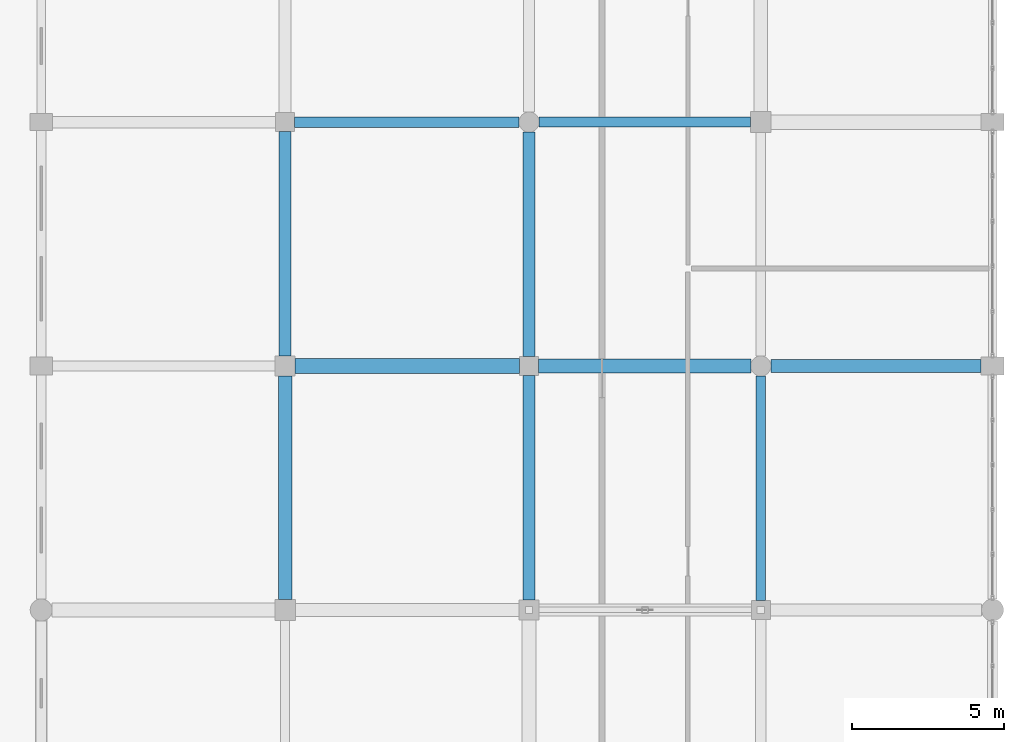
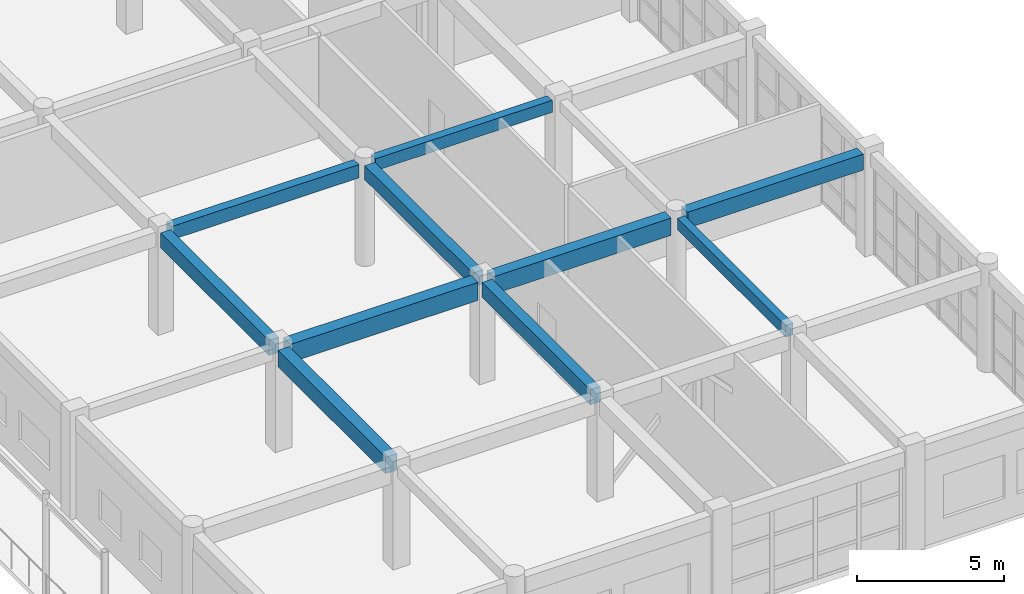
# One storey, part 95 of 160: 10 beams.
"""IFC4 building model written with IfcOpenShell, lengths in metres."""

from ifc_helpers import new_model, si_unit, direction, frame, origin, origin_2d, place, context, subcontext, project, spatial, rectangle, extrude, material, material_profile, profile_set, type_object, element, save


model = new_model("IFC4")

# Units and contexts
model_context = context("Model", 3, precision=1e-05, world=origin(), true_north=direction((0.0, 1.0)))
body_context = subcontext(model_context, "Body", "Model", "MODEL_VIEW")
ifc_project = project(units=[si_unit("LENGTHUNIT", "METRE"), si_unit("AREAUNIT", "SQUARE_METRE"), si_unit("VOLUMEUNIT", "CUBIC_METRE"), si_unit("PLANEANGLEUNIT", "RADIAN"), si_unit("MASSUNIT", "GRAM", prefix="KILO")], contexts=[model_context])

# Site, building, storey
site_placement = place(None, origin())
site = spatial("IfcSite", under=ifc_project, at=site_placement, CompositionType="ELEMENT")
building_placement = place(site_placement, origin())
building = spatial("IfcBuilding", under=site, at=building_placement, Name="Kharva Crest Polytechnic", CompositionType="ELEMENT")
storey_placement = place(building_placement, frame((0.0, 0.0, 4.5)))
storey = spatial("IfcBuildingStorey", under=building, at=storey_placement, Name="L01", CompositionType="ELEMENT", Elevation=4.5)

# Beams
ifc_material = material(Name="Concrete C35/45", Category="concrete")
ifc_material_profile_1 = material_profile(ifc_material, rectangle(XDim=0.300048828125, YDim=0.47998046875, at=origin_2d()), Name="RECT 300 X 480")
ifc_profile_set_1 = profile_set([ifc_material_profile_1], Name="Concrete C35/45")
beam_type_1 = type_object("IfcBeamType", Name="BM-RC-300X480", PredefinedType="BEAM", material=ifc_profile_set_1)
beam_1_placement = place(storey_placement, frame((176.39990234375, 47.110107421875, 3.97998046875), z_axis=(0.0, 1.0, 0.0), x_axis=(-1.0, 0.0, 0.0)))
element("IfcBeam", 1, at=beam_1_placement, inside=storey, type_object=beam_type_1, Name="L01 Girder 23/G-H", PredefinedType="BEAM", context=body_context, shape_type="SweptSolid", body=[
    extrude(rectangle(XDim=0.300048828125, YDim=0.47998046875, at=origin_2d()), origin(), (0.0, 0.0, 1.0), 7.35986328125),
])
ifc_material_profile_2 = material_profile(ifc_material, rectangle(XDim=0.320068359375, YDim=0.5, at=origin_2d()), Name="RECT 320 X 500")
ifc_profile_set_2 = profile_set([ifc_material_profile_2], Name="Concrete C35/45")
beam_type_2 = type_object("IfcBeamType", Name="BM-RC-320X500", PredefinedType="BEAM", material=ifc_profile_set_2)
beam_2_placement = place(storey_placement, frame((169.1298828125, 62.800048828125, 3.969970703125), z_axis=(1.0, 0.0, 0.0), x_axis=(0.0, 1.0, 0.0)))
element("IfcBeam", 2, at=beam_2_placement, inside=storey, type_object=beam_type_2, Name="L01 Beam J/22-23", PredefinedType="BEAM", context=body_context, shape_type="SweptSolid", body=[
    extrude(rectangle(XDim=0.320068359375, YDim=0.5, at=origin_2d()), origin(), (0.0, 0.0, 1.0), 6.93017578125),
])
ifc_material_profile_3 = material_profile(ifc_material, rectangle(XDim=0.35009765625, YDim=0.550048828125, at=origin_2d()), Name="RECT 350 X 550")
ifc_profile_set_3 = profile_set([ifc_material_profile_3], Name="Concrete C35/45")
beam_type_3 = type_object("IfcBeamType", Name="BM-RC-350X550", PredefinedType="BEAM", material=ifc_profile_set_3)
beam_3_placement = place(storey_placement, frame((161.110107421875, 62.800048828125, 3.945068359375), z_axis=(1.0, 0.0, 0.0), x_axis=(0.0, 1.0, 0.0)))
element("IfcBeam", 3, at=beam_3_placement, inside=storey, type_object=beam_type_3, Name="L01 Beam J/21-22", PredefinedType="BEAM", context=body_context, shape_type="SweptSolid", body=[
    extrude(rectangle(XDim=0.35009765625, YDim=0.550048828125, at=origin_2d()), origin(), (0.0, 0.0, 1.0), 7.35986328125),
])
ifc_material_profile_4 = material_profile(ifc_material, rectangle(XDim=0.39990234375, YDim=0.580078125, at=origin_2d()), Name="RECT 400 X 580")
ifc_profile_set_4 = profile_set([ifc_material_profile_4], Name="Concrete C35/45")
beam_type_4 = type_object("IfcBeamType", Name="BM-RC-400X580", PredefinedType="BEAM", material=ifc_profile_set_4)
beam_4_placement = place(storey_placement, frame((168.800048828125, 55.110107421875, 3.929931640625), z_axis=(0.0, 1.0, 0.0), x_axis=(-1.0, 0.0, 0.0)))
element("IfcBeam", 4, at=beam_4_placement, inside=storey, type_object=beam_type_4, Name="L01 Girder 22/H-J", PredefinedType="BEAM", context=body_context, shape_type="SweptSolid", body=[
    extrude(rectangle(XDim=0.39990234375, YDim=0.580078125, at=origin_2d()), origin(), (0.0, 0.0, 1.0), 7.35986328125),
])
ifc_material_profile_5 = material_profile(ifc_material, rectangle(XDim=0.39990234375, YDim=0.6201171875, at=origin_2d()), Name="RECT 400 X 620")
ifc_profile_set_5 = profile_set([ifc_material_profile_5], Name="Concrete C35/45")
beam_type_5 = type_object("IfcBeamType", Name="BM-RC-400X620", PredefinedType="BEAM", material=ifc_profile_set_5)
for number, where, z_axis, x_axis, name in (
    (5, (160.800048828125, 55.125, 3.909912109375), (0.0, 1.0, 0.0), (-1.0, 0.0, 0.0), "L01 Girder 21/H-J"),
    (6, (168.800048828125, 47.125, 3.909912109375), (0.0, 1.0, 0.0), (-1.0, 0.0, 0.0), "L01 Girder 22/G-H"),
):
    element("IfcBeam", number, at=place(storey_placement, frame(where, z_axis=z_axis, x_axis=x_axis)), inside=storey, type_object=beam_type_5, Name=name, PredefinedType="BEAM", context=body_context, shape_type="SweptSolid", body=[
        extrude(rectangle(XDim=0.39990234375, YDim=0.6201171875, at=origin_2d()), origin(), (0.0, 0.0, 1.0), 7.364990234375),
    ])
ifc_material_profile_6 = material_profile(ifc_material, rectangle(XDim=0.419921875, YDim=0.659912109375, at=origin_2d()), Name="RECT 420 X 660")
ifc_profile_set_6 = profile_set([ifc_material_profile_6], Name="Concrete C35/45")
beam_type_6 = type_object("IfcBeamType", Name="BM-RC-420X660", PredefinedType="BEAM", material=ifc_profile_set_6)
beam_5_placement = place(storey_placement, frame((176.72998046875, 54.800048828125, 3.889892578125), z_axis=(1.0, 0.0, 0.0), x_axis=(0.0, 1.0, 0.0)))
element("IfcBeam", 7, at=beam_5_placement, inside=storey, type_object=beam_type_6, Name="L01 Beam H/23-24", PredefinedType="BEAM", context=body_context, shape_type="SweptSolid", body=[
    extrude(rectangle(XDim=0.419921875, YDim=0.659912109375, at=origin_2d()), origin(), (0.0, 0.0, 1.0), 6.89501953125),
])
ifc_material_profile_7 = material_profile(ifc_material, rectangle(XDim=0.449951171875, YDim=0.679931640625, at=origin_2d()), Name="RECT 450 X 680")
ifc_profile_set_7 = profile_set([ifc_material_profile_7], Name="Concrete C35/45")
beam_type_7 = type_object("IfcBeamType", Name="BM-RC-450X680", PredefinedType="BEAM", material=ifc_profile_set_7)
beam_6_placement = place(storey_placement, frame((160.800048828125, 47.139892578125, 3.8798828125), z_axis=(0.0, 1.0, 0.0), x_axis=(-1.0, 0.0, 0.0)))
element("IfcBeam", 8, at=beam_6_placement, inside=storey, type_object=beam_type_7, Name="L01 Girder 21/G-H", PredefinedType="BEAM", context=body_context, shape_type="SweptSolid", body=[
    extrude(rectangle(XDim=0.449951171875, YDim=0.679931640625, at=origin_2d()), origin(), (0.0, 0.0, 1.0), 7.335205078125),
])
ifc_material_profile_8 = material_profile(ifc_material, rectangle(XDim=0.449951171875, YDim=0.719970703125, at=origin_2d()), Name="RECT 450 X 720")
ifc_profile_set_8 = profile_set([ifc_material_profile_8], Name="Concrete C35/45")
beam_type_8 = type_object("IfcBeamType", Name="BM-RC-450X720", PredefinedType="BEAM", material=ifc_profile_set_8)
beam_7_placement = place(storey_placement, frame((169.110107421875, 54.800048828125, 3.860107421875), z_axis=(1.0, 0.0, 0.0), x_axis=(0.0, 1.0, 0.0)))
element("IfcBeam", 9, at=beam_7_placement, inside=storey, type_object=beam_type_8, Name="L01 Beam H/22-23", PredefinedType="BEAM", context=body_context, shape_type="SweptSolid", body=[
    extrude(rectangle(XDim=0.449951171875, YDim=0.719970703125, at=origin_2d()), origin(), (0.0, 0.0, 1.0), 6.9599609375),
])
ifc_material_profile_9 = material_profile(ifc_material, rectangle(XDim=0.47998046875, YDim=0.75, at=origin_2d()), Name="RECT 480 X 750")
ifc_profile_set_9 = profile_set([ifc_material_profile_9], Name="Concrete C35/45")
beam_type_9 = type_object("IfcBeamType", Name="BM-RC-480X750", PredefinedType="BEAM", material=ifc_profile_set_9)
beam_8_placement = place(storey_placement, frame((161.125, 54.800048828125, 3.844970703125), z_axis=(1.0, 0.0, 0.0), x_axis=(0.0, 1.0, 0.0)))
element("IfcBeam", 10, at=beam_8_placement, inside=storey, type_object=beam_type_9, Name="L01 Beam H/21-22", PredefinedType="BEAM", context=body_context, shape_type="SweptSolid", body=[
    extrude(rectangle(XDim=0.47998046875, YDim=0.75, at=origin_2d()), origin(), (0.0, 0.0, 1.0), 7.364990234375),
])

save(model, "model.ifc")
